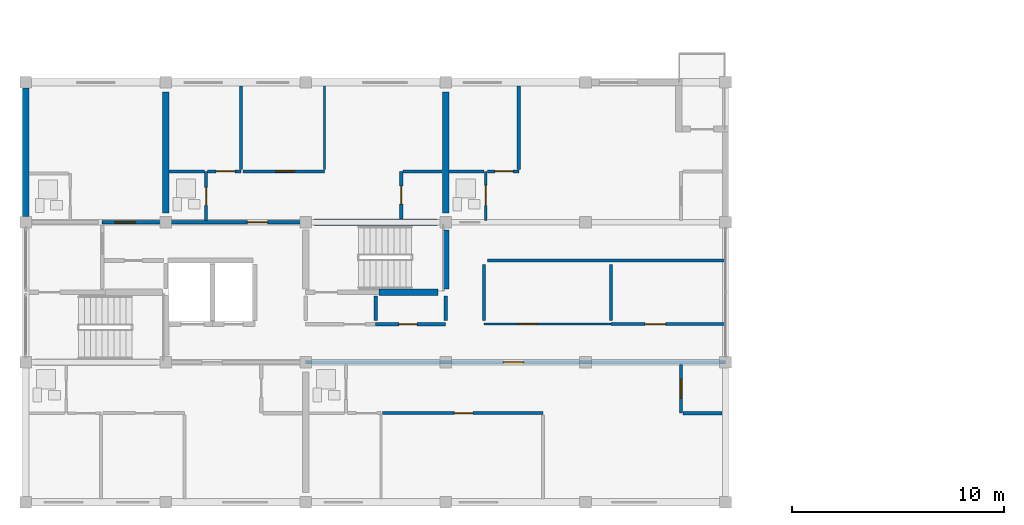
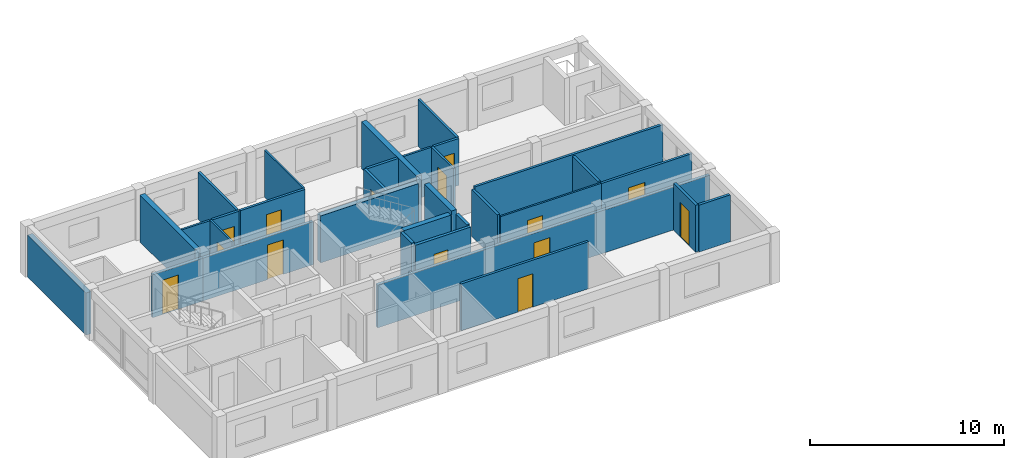
# One storey, part 32 of 45: 32 walls, 14 doors, 14 openings.
"""IFC4 building model written with IfcOpenShell, lengths in metres."""

from ifc_helpers import new_model, si_unit, direction, frame, frame_2d, origin, place, context, subcontext, project, spatial, rectangle, extrude, material, layer, layer_set, type_object, element, fill, save


model = new_model("IFC4")

# Units and contexts
model_context = context("Model", 3, precision=1e-05, world=origin(), true_north=direction((0.0, 1.0)))
body_context = subcontext(model_context, "Body", "Model", "MODEL_VIEW")
ifc_project = project(units=[si_unit("LENGTHUNIT", "METRE"), si_unit("AREAUNIT", "SQUARE_METRE"), si_unit("VOLUMEUNIT", "CUBIC_METRE"), si_unit("PLANEANGLEUNIT", "RADIAN"), si_unit("MASSUNIT", "GRAM", prefix="KILO")], contexts=[model_context])

# Site, building, storey
site_placement = place(None, origin())
site = spatial("IfcSite", under=ifc_project, at=site_placement, CompositionType="ELEMENT")
building_placement = place(site_placement, origin())
building = spatial("IfcBuilding", under=site, at=building_placement, Name="Kernevlak Ridge Housing Community", CompositionType="ELEMENT")
storey_placement = place(building_placement, frame((0.0, 0.0, 14.800048828125)))
storey = spatial("IfcBuildingStorey", under=building, at=storey_placement, Name="L04", CompositionType="ELEMENT", Elevation=14.800048828125)

# Wall
ifc_material_1 = material(Name="Concrete block masonry M10", Category="masonry")
ifc_layer_1 = layer(ifc_material_1, 0.300048828125, Name="Concrete block masonry M10")
ifc_layer_set_1 = layer_set([ifc_layer_1], Name="Concrete block masonry M10")
wall_type_1 = type_object("IfcWallType", Name="EW-01", PredefinedType="STANDARD", material=ifc_layer_set_1)
wall_1_placement = place(storey_placement, frame((15.60009765625, 89.47509765625, 0.0), z_axis=(0.0, 0.0, 1.0), x_axis=(0.0, 1.0, 0.0)))
element("IfcWall", 1, at=wall_1_placement, inside=storey, type_object=wall_type_1, Name="Exterior wall EW-01 L04 74", PredefinedType="STANDARD", context=body_context, shape_type="SweptSolid", body=[
    extrude(rectangle(XDim=6.0498046875, YDim=0.300048828125, at=frame_2d((3.02490234375, 0.0))), origin(), (0.0, 0.0, 1.0), 2.64990234375),
])

# Wall, opening, door
ifc_layer_2 = layer(ifc_material_1, 0.175048828125, Name="Concrete block masonry M10")
ifc_layer_set_2 = layer_set([ifc_layer_2], Name="Concrete block masonry M10")
wall_type_2 = type_object("IfcWallType", Name="PW-02", PredefinedType="PARTITIONING", material=ifc_layer_set_2)
wall_2_placement = place(storey_placement, frame((32.10009765625, 84.39990234375, 0.0), z_axis=(0.0, 0.0, 1.0), x_axis=(1.0, 0.0, 0.0)))
wall_2 = element("IfcWall", 2, at=wall_2_placement, inside=storey, type_object=wall_type_2, Name="Interior wall PW-02 WAL-INT-L04-0262", PredefinedType="PARTITIONING", context=body_context, shape_type="SweptSolid", body=[
    extrude(rectangle(XDim=3.2998046875, YDim=0.175048828125, at=frame_2d((1.64990234375, 0.0))), origin(), (0.0, 0.0, 1.0), 2.9599609375),
])
opening_1_placement = place(wall_2_placement, frame((1.10009765625, 0.0, 0.0)))
opening_1 = element("IfcOpeningElement", 3, at=opening_1_placement, cuts=wall_2, Name="Opening D131", PredefinedType="OPENING", context=body_context, shape_type="SweptSolid", body=[
    extrude(rectangle(XDim=0.85009765625, YDim=2.0, at=frame_2d((0.425048828125, 1.0))), frame((0.0, 0.097412109375, 0.0), z_axis=(0.0, -1.0, 0.0), x_axis=(1.0, 0.0, 0.0)), (0.0, 0.0, 1.0), 0.195068359375),
])
ifc_material_2 = material(Name="Fire-rated sheet steel leaf", Category="steel")
door_type_1 = type_object("IfcDoorType", Name="DT-07", OperationType="NOTDEFINED", PredefinedType="DOOR", material=ifc_material_2)
door_1_placement = place(opening_1_placement, origin())
door_1 = element("IfcDoor", 4, at=door_1_placement, inside=storey, type_object=door_type_1, Name="Block A Cleaner store door D131", OperationType="SINGLE_SWING_LEFT", OverallHeight=2.0, OverallWidth=0.85009765625, PredefinedType="DOOR", context=body_context, shape_type="SweptSolid", body=[
    extrude(rectangle(XDim=0.85009765625, YDim=2.0, at=frame_2d((0.425048828125, 1.0))), frame((0.0, 0.02490234375, 0.0), z_axis=(0.0, -1.0, 0.0), x_axis=(1.0, 0.0, 0.0)), (0.0, 0.0, 1.0), 0.050048828125),
])
fill(opening_1, door_1)

# Walls
for number, where, z_axis, x_axis, name in (
    (5, (32.10009765625, 84.580078125, 0.0), (0.0, 0.0, 1.0), (0.0, 1.0, 0.0), "Interior wall PW-02 WAL-INT-L04-0264"),
    (6, (35.39990234375, 84.580078125, 0.0), (0.0, 0.0, 1.0), (0.0, 1.0, 0.0), "Interior wall PW-02 WAL-INT-L04-0265"),
):
    element("IfcWall", number, at=place(storey_placement, frame(where, z_axis=z_axis, x_axis=x_axis)), inside=storey, type_object=wall_type_2, Name=name, PredefinedType="PARTITIONING", context=body_context, shape_type="SweptSolid", body=[
        extrude(rectangle(XDim=1.139892578125, YDim=0.175048828125, at=frame_2d((0.56982421875, 0.0))), origin(), (0.0, 0.0, 1.0), 2.9599609375),
    ])

# Wall, opening, door
wall_3_placement = place(storey_placement, frame((28.800048828125, 82.60009765625, 0.0), z_axis=(0.0, 0.0, 1.0), x_axis=(1.0, 0.0, 0.0)))
wall_3 = element("IfcWall", 7, at=wall_3_placement, inside=storey, type_object=wall_type_2, Name="Interior wall PW-02 WAL-INT-L04-0280", PredefinedType="PARTITIONING", context=body_context, shape_type="SweptSolid", body=[
    extrude(rectangle(XDim=19.800048828125, YDim=0.175048828125, at=frame_2d((9.89990234375, 0.0))), origin(), (0.0, 0.0, 1.0), 2.699951171875),
])
opening_2_placement = place(wall_3_placement, frame((9.324951171875, 0.0, 0.0)))
opening_2 = element("IfcOpeningElement", 8, at=opening_2_placement, cuts=wall_3, Name="Opening D139", PredefinedType="OPENING", context=body_context, shape_type="SweptSolid", body=[
    extrude(rectangle(XDim=0.949951171875, YDim=2.10009765625, at=frame_2d((0.47509765625, 1.050048828125))), frame((0.0, 0.097412109375, 0.0), z_axis=(0.0, -1.0, 0.0), x_axis=(1.0, 0.0, 0.0)), (0.0, 0.0, 1.0), 0.195068359375),
])
ifc_material_3 = material(Name="Hardwood timber solid-core fire leaf", Category="wood")
door_type_2 = type_object("IfcDoorType", Name="DT-01", OperationType="NOTDEFINED", PredefinedType="DOOR", material=ifc_material_3)
door_2_placement = place(opening_2_placement, origin())
door_2 = element("IfcDoor", 9, at=door_2_placement, inside=storey, type_object=door_type_2, Name="Flat A0412 entrance fire door D139", OperationType="SINGLE_SWING_LEFT", OverallHeight=2.10009765625, OverallWidth=0.949951171875, PredefinedType="DOOR", context=body_context, shape_type="SweptSolid", body=[
    extrude(rectangle(XDim=0.949951171875, YDim=2.10009765625, at=frame_2d((0.47509765625, 1.050048828125))), frame((0.0, 0.02490234375, 0.0), z_axis=(0.0, -1.0, 0.0), x_axis=(1.0, 0.0, 0.0)), (0.0, 0.0, 1.0), 0.050048828125),
])
fill(opening_2, door_2)

wall_4_placement = place(storey_placement, frame((19.199951171875, 89.199951171875, 0.0), z_axis=(0.0, 0.0, 1.0), x_axis=(1.0, 0.0, 0.0)))
wall_4 = element("IfcWall", 10, at=wall_4_placement, inside=storey, type_object=wall_type_2, Name="Interior wall PW-02 WAL-INT-L04-0290", PredefinedType="PARTITIONING", context=body_context, shape_type="SweptSolid", body=[
    extrude(rectangle(XDim=3.0, YDim=0.175048828125, at=frame_2d((1.5, 0.0))), origin(), (0.0, 0.0, 1.0), 2.699951171875),
])
opening_3_placement = place(wall_4_placement, frame((0.60009765625, 0.0, 0.0)))
opening_3 = element("IfcOpeningElement", 11, at=opening_3_placement, cuts=wall_4, Name="Opening D144", PredefinedType="OPENING", context=body_context, shape_type="SweptSolid", body=[
    extrude(rectangle(XDim=0.949951171875, YDim=2.159912109375, at=frame_2d((0.47509765625, 1.080078125))), frame((0.0, 0.097412109375, 0.0), z_axis=(0.0, -1.0, 0.0), x_axis=(1.0, 0.0, 0.0)), (0.0, 0.0, 1.0), 0.195068359375),
])
door_type_3 = type_object("IfcDoorType", Name="DT-02", OperationType="NOTDEFINED", PredefinedType="DOOR", material=ifc_material_3)
door_3_placement = place(opening_3_placement, origin())
door_3 = element("IfcDoor", 12, at=door_3_placement, inside=storey, type_object=door_type_3, Name="Flat A0421 entrance fire door D144", OperationType="SINGLE_SWING_RIGHT", OverallHeight=2.159912109375, OverallWidth=0.949951171875, PredefinedType="DOOR", context=body_context, shape_type="SweptSolid", body=[
    extrude(rectangle(XDim=0.949951171875, YDim=2.159912109375, at=frame_2d((0.47509765625, 1.080078125))), frame((0.0, 0.02490234375, 0.0), z_axis=(0.0, -1.0, 0.0), x_axis=(1.0, 0.0, 0.0)), (0.0, 0.0, 1.0), 0.050048828125),
])
fill(opening_3, door_3)

wall_5_placement = place(storey_placement, frame((22.199951171875, 89.199951171875, 0.0), z_axis=(0.0, 0.0, 1.0), x_axis=(1.0, 0.0, 0.0)))
wall_5 = element("IfcWall", 13, at=wall_5_placement, inside=storey, type_object=wall_type_2, Name="Interior wall PW-02 WAL-INT-L04-0293", PredefinedType="PARTITIONING", context=body_context, shape_type="SweptSolid", body=[
    extrude(rectangle(XDim=6.60009765625, YDim=0.175048828125, at=frame_2d((3.300048828125, 0.0))), origin(), (0.0, 0.0, 1.0), 2.699951171875),
])
opening_4_placement = place(wall_5_placement, frame((3.85009765625, 0.0, 0.0)))
opening_4 = element("IfcOpeningElement", 14, at=opening_4_placement, cuts=wall_5, Name="Opening D146", PredefinedType="OPENING", context=body_context, shape_type="SweptSolid", body=[
    extrude(rectangle(XDim=0.9599609375, YDim=2.179931640625, at=frame_2d((0.47998046875, 1.08984375))), frame((0.0, 0.097412109375, 0.0), z_axis=(0.0, -1.0, 0.0), x_axis=(1.0, 0.0, 0.0)), (0.0, 0.0, 1.0), 0.195068359375),
])
door_type_4 = type_object("IfcDoorType", Name="DT-29", OperationType="NOTDEFINED", PredefinedType="DOOR", material=ifc_material_3)
door_4_placement = place(opening_4_placement, origin())
door_4 = element("IfcDoor", 15, at=door_4_placement, inside=storey, type_object=door_type_4, Name="Flat A0422 entrance fire door D146", OperationType="SINGLE_SWING_RIGHT", OverallHeight=2.179931640625, OverallWidth=0.9599609375, PredefinedType="DOOR", context=body_context, shape_type="SweptSolid", body=[
    extrude(rectangle(XDim=0.9599609375, YDim=2.179931640625, at=frame_2d((0.47998046875, 1.08984375))), frame((0.0, 0.02490234375, 0.0), z_axis=(0.0, -1.0, 0.0), x_axis=(1.0, 0.0, 0.0)), (0.0, 0.0, 1.0), 0.050048828125),
])
fill(opening_4, door_4)

ifc_layer_3 = layer(ifc_material_1, 0.14501953125, Name="Concrete block masonry M10")
ifc_layer_set_3 = layer_set([ifc_layer_3], Name="Concrete block masonry M10")
wall_type_3 = type_object("IfcWallType", Name="PW-03", PredefinedType="PARTITIONING", material=ifc_layer_set_3)
wall_6_placement = place(storey_placement, frame((43.199951171875, 84.39990234375, 0.0), z_axis=(0.0, 0.0, 1.0), x_axis=(1.0, 0.0, 0.0)))
wall_6 = element("IfcWall", 16, at=wall_6_placement, inside=storey, type_object=wall_type_3, Name="Interior wall PW-03 WAL-INT-L04-0267", PredefinedType="PARTITIONING", context=body_context, shape_type="SweptSolid", body=[
    extrude(rectangle(XDim=5.400146484375, YDim=0.14501953125, at=frame_2d((2.7001953125, 0.0))), origin(), (0.0, 0.0, 1.0), 2.9599609375),
])
opening_5_placement = place(wall_6_placement, frame((1.60009765625, 0.0, 0.0)))
opening_5 = element("IfcOpeningElement", 17, at=opening_5_placement, cuts=wall_6, Name="Opening D133", PredefinedType="OPENING", context=body_context, shape_type="SweptSolid", body=[
    extrude(rectangle(XDim=0.97998046875, YDim=2.1201171875, at=frame_2d((0.489990234375, 1.06005859375))), frame((0.0, 0.08251953125, 0.0), z_axis=(0.0, -1.0, 0.0), x_axis=(1.0, 0.0, 0.0)), (0.0, 0.0, 1.0), 0.1650390625),
])
ifc_material_4 = material(Name="Hardwood timber leaf", Category="wood")
door_type_5 = type_object("IfcDoorType", Name="DT-24", OperationType="NOTDEFINED", PredefinedType="DOOR", material=ifc_material_4)
door_5_placement = place(opening_5_placement, origin())
door_5 = element("IfcDoor", 18, at=door_5_placement, inside=storey, type_object=door_type_5, Name="Block A Study room door D133", OperationType="SINGLE_SWING_LEFT", OverallHeight=2.1201171875, OverallWidth=0.97998046875, PredefinedType="DOOR", context=body_context, shape_type="SweptSolid", body=[
    extrude(rectangle(XDim=0.97998046875, YDim=2.1201171875, at=frame_2d((0.489990234375, 1.06005859375))), frame((0.0, 0.02490234375, 0.0), z_axis=(0.0, -1.0, 0.0), x_axis=(1.0, 0.0, 0.0)), (0.0, 0.0, 1.0), 0.050048828125),
])
fill(opening_5, door_5)

# Walls
wall_7_placement = place(storey_placement, frame((43.199951171875, 84.580078125, 0.0), z_axis=(0.0, 0.0, 1.0), x_axis=(0.0, 1.0, 0.0)))
element("IfcWall", 19, at=wall_7_placement, inside=storey, type_object=wall_type_3, Name="Interior wall PW-03 WAL-INT-L04-0268", PredefinedType="PARTITIONING", context=body_context, shape_type="SweptSolid", body=[
    extrude(rectangle(XDim=2.639892578125, YDim=0.14501953125, at=frame_2d((1.31982421875, 0.0))), origin(), (0.0, 0.0, 1.0), 2.9599609375),
])
wall_8_placement = place(storey_placement, frame((37.3798828125, 87.39990234375, 0.0), z_axis=(0.0, 0.0, 1.0), x_axis=(1.0, 0.0, 0.0)))
element("IfcWall", 20, at=wall_8_placement, inside=storey, type_object=wall_type_3, Name="Interior wall PW-03 WAL-INT-L04-0269", PredefinedType="PARTITIONING", context=body_context, shape_type="SweptSolid", body=[
    extrude(rectangle(XDim=11.2001953125, YDim=0.14501953125, at=frame_2d((5.60009765625, 0.0))), origin(), (0.0, 0.0, 1.0), 2.9599609375),
])
wall_9_placement = place(storey_placement, frame((37.199951171875, 84.580078125, 0.0), z_axis=(0.0, 0.0, 1.0), x_axis=(0.0, 1.0, 0.0)))
element("IfcWall", 21, at=wall_9_placement, inside=storey, type_object=wall_type_3, Name="Interior wall PW-03 WAL-INT-L04-0270", PredefinedType="PARTITIONING", context=body_context, shape_type="SweptSolid", body=[
    extrude(rectangle(XDim=2.639892578125, YDim=0.14501953125, at=frame_2d((1.31982421875, 0.0))), origin(), (0.0, 0.0, 1.0), 2.9599609375),
])

# Wall, opening, door
wall_10_placement = place(storey_placement, frame((32.41259765625, 80.199951171875, 0.0), z_axis=(0.0, 0.0, 1.0), x_axis=(1.0, 0.0, 0.0)))
wall_10 = element("IfcWall", 22, at=wall_10_placement, inside=storey, type_object=wall_type_3, Name="Interior wall PW-03 WAL-INT-L04-0287", PredefinedType="PARTITIONING", context=body_context, shape_type="SweptSolid", body=[
    extrude(rectangle(XDim=7.575439453125, YDim=0.14501953125, at=frame_2d((3.78759765625, 0.0))), origin(), (0.0, 0.0, 1.0), 2.9599609375),
])
opening_6_placement = place(wall_10_placement, frame((3.39404296875, 0.0, 0.0)))
opening_6 = element("IfcOpeningElement", 23, at=opening_6_placement, cuts=wall_10, Name="Opening D143", PredefinedType="OPENING", context=body_context, shape_type="SweptSolid", body=[
    extrude(rectangle(XDim=0.8798828125, YDim=2.10009765625, at=frame_2d((0.43994140625, 1.050048828125))), frame((0.0, 0.08251953125, 0.0), z_axis=(0.0, -1.0, 0.0), x_axis=(1.0, 0.0, 0.0)), (0.0, 0.0, 1.0), 0.1650390625),
])
door_type_6 = type_object("IfcDoorType", Name="DT-25", OperationType="NOTDEFINED", PredefinedType="DOOR", material=ifc_material_4)
door_6_placement = place(opening_6_placement, origin())
door_6 = element("IfcDoor", 24, at=door_6_placement, inside=storey, type_object=door_type_6, Name="Flat A0412 bedroom door D143", OperationType="SINGLE_SWING_LEFT", OverallHeight=2.10009765625, OverallWidth=0.8798828125, PredefinedType="DOOR", context=body_context, shape_type="SweptSolid", body=[
    extrude(rectangle(XDim=0.8798828125, YDim=2.10009765625, at=frame_2d((0.43994140625, 1.050048828125))), frame((0.0, 0.02490234375, 0.0), z_axis=(0.0, -1.0, 0.0), x_axis=(1.0, 0.0, 0.0)), (0.0, 0.0, 1.0), 0.050048828125),
])
fill(opening_6, door_6)

wall_11_placement = place(storey_placement, frame((24.172607421875, 91.60009765625, 0.0), z_axis=(0.0, 0.0, 1.0), x_axis=(1.0, 0.0, 0.0)))
wall_11 = element("IfcWall", 25, at=wall_11_placement, inside=storey, type_object=wall_type_3, Name="Interior wall PW-03 WAL-INT-L04-0298", PredefinedType="PARTITIONING", context=body_context, shape_type="SweptSolid", body=[
    extrude(rectangle(XDim=1.577392578125, YDim=0.14501953125, at=frame_2d((0.78857421875, 0.0))), origin(), (0.0, 0.0, 1.0), 2.9599609375),
])
opening_7_placement = place(wall_11_placement, frame((0.39990234375, 0.0, 0.0)))
opening_7 = element("IfcOpeningElement", 26, at=opening_7_placement, cuts=wall_11, Name="Opening D149", PredefinedType="OPENING", context=body_context, shape_type="SweptSolid", body=[
    extrude(rectangle(XDim=0.89990234375, YDim=2.10009765625, at=frame_2d((0.449951171875, 1.050048828125))), frame((0.0, 0.08251953125, 0.0), z_axis=(0.0, -1.0, 0.0), x_axis=(1.0, 0.0, 0.0)), (0.0, 0.0, 1.0), 0.1650390625),
])
door_type_7 = type_object("IfcDoorType", Name="DT-21", OperationType="NOTDEFINED", PredefinedType="DOOR", material=ifc_material_4)
door_7_placement = place(opening_7_placement, origin())
door_7 = element("IfcDoor", 27, at=door_7_placement, inside=storey, type_object=door_type_7, Name="Flat A0422 bedroom door D149", OperationType="SINGLE_SWING_LEFT", OverallHeight=2.10009765625, OverallWidth=0.89990234375, PredefinedType="DOOR", context=body_context, shape_type="SweptSolid", body=[
    extrude(rectangle(XDim=0.89990234375, YDim=2.10009765625, at=frame_2d((0.449951171875, 1.050048828125))), frame((0.0, 0.02490234375, 0.0), z_axis=(0.0, -1.0, 0.0), x_axis=(1.0, 0.0, 0.0)), (0.0, 0.0, 1.0), 0.050048828125),
])
fill(opening_7, door_7)

# Wall
wall_12_placement = place(storey_placement, frame((25.75, 91.6826171875, 0.0), z_axis=(0.0, 0.0, 1.0), x_axis=(0.0, 1.0, 0.0)))
element("IfcWall", 28, at=wall_12_placement, inside=storey, type_object=wall_type_3, Name="Interior wall PW-03 WAL-INT-L04-0299", PredefinedType="PARTITIONING", context=body_context, shape_type="SweptSolid", body=[
    extrude(rectangle(XDim=3.957275390625, YDim=0.14501953125, at=frame_2d((1.978515625, 0.0))), origin(), (0.0, 0.0, 1.0), 2.9599609375),
])

# Wall, opening, door
wall_13_placement = place(storey_placement, frame((25.83251953125, 91.60009765625, 0.0), z_axis=(0.0, 0.0, 1.0), x_axis=(1.0, 0.0, 0.0)))
wall_13 = element("IfcWall", 29, at=wall_13_placement, inside=storey, type_object=wall_type_3, Name="Interior wall PW-03 WAL-INT-L04-0300", PredefinedType="PARTITIONING", context=body_context, shape_type="SweptSolid", body=[
    extrude(rectangle(XDim=3.859375, YDim=0.14501953125, at=frame_2d((1.9296875, 0.0))), origin(), (0.0, 0.0, 1.0), 2.9599609375),
])
opening_8_placement = place(wall_13_placement, frame((1.5458984375, 0.0, 0.0)))
opening_8 = element("IfcOpeningElement", 30, at=opening_8_placement, cuts=wall_13, Name="Opening D150", PredefinedType="OPENING", context=body_context, shape_type="SweptSolid", body=[
    extrude(rectangle(XDim=0.89990234375, YDim=2.159912109375, at=frame_2d((0.449951171875, 1.080078125))), frame((0.0, 0.08251953125, 0.0), z_axis=(0.0, -1.0, 0.0), x_axis=(1.0, 0.0, 0.0)), (0.0, 0.0, 1.0), 0.1650390625),
])
door_type_8 = type_object("IfcDoorType", Name="DT-22", OperationType="NOTDEFINED", PredefinedType="DOOR", material=ifc_material_4)
door_8_placement = place(opening_8_placement, origin())
door_8 = element("IfcDoor", 31, at=door_8_placement, inside=storey, type_object=door_type_8, Name="Flat A0422 bedroom door D150", OperationType="SINGLE_SWING_RIGHT", OverallHeight=2.159912109375, OverallWidth=0.89990234375, PredefinedType="DOOR", context=body_context, shape_type="SweptSolid", body=[
    extrude(rectangle(XDim=0.89990234375, YDim=2.159912109375, at=frame_2d((0.449951171875, 1.080078125))), frame((0.0, 0.02490234375, 0.0), z_axis=(0.0, -1.0, 0.0), x_axis=(1.0, 0.0, 0.0)), (0.0, 0.0, 1.0), 0.050048828125),
])
fill(opening_8, door_8)

wall_14_placement = place(storey_placement, frame((37.37255859375, 91.60009765625, 0.0), z_axis=(0.0, 0.0, 1.0), x_axis=(1.0, 0.0, 0.0)))
wall_14 = element("IfcWall", 32, at=wall_14_placement, inside=storey, type_object=wall_type_3, Name="Interior wall PW-03 WAL-INT-L04-0307", PredefinedType="PARTITIONING", context=body_context, shape_type="SweptSolid", body=[
    extrude(rectangle(XDim=1.4775390625, YDim=0.14501953125, at=frame_2d((0.73876953125, 0.0))), origin(), (0.0, 0.0, 1.0), 2.9599609375),
])
opening_9_placement = place(wall_14_placement, frame((0.35009765625, 0.0, 0.0)))
opening_9 = element("IfcOpeningElement", 33, at=opening_9_placement, cuts=wall_14, Name="Opening D154", PredefinedType="OPENING", context=body_context, shape_type="SweptSolid", body=[
    extrude(rectangle(XDim=0.860107421875, YDim=2.1201171875, at=frame_2d((0.43017578125, 1.06005859375))), frame((0.0, 0.08251953125, 0.0), z_axis=(0.0, -1.0, 0.0), x_axis=(1.0, 0.0, 0.0)), (0.0, 0.0, 1.0), 0.1650390625),
])
door_type_9 = type_object("IfcDoorType", Name="DT-28", OperationType="NOTDEFINED", PredefinedType="DOOR", material=ifc_material_4)
door_9_placement = place(opening_9_placement, origin())
door_9 = element("IfcDoor", 34, at=door_9_placement, inside=storey, type_object=door_type_9, Name="Flat A0423 bedroom door D154", OperationType="SINGLE_SWING_RIGHT", OverallHeight=2.1201171875, OverallWidth=0.860107421875, PredefinedType="DOOR", context=body_context, shape_type="SweptSolid", body=[
    extrude(rectangle(XDim=0.860107421875, YDim=2.1201171875, at=frame_2d((0.43017578125, 1.06005859375))), frame((0.0, 0.02490234375, 0.0), z_axis=(0.0, -1.0, 0.0), x_axis=(1.0, 0.0, 0.0)), (0.0, 0.0, 1.0), 0.050048828125),
])
fill(opening_9, door_9)

# Wall
wall_15_placement = place(storey_placement, frame((38.85009765625, 91.6826171875, 0.0), z_axis=(0.0, 0.0, 1.0), x_axis=(0.0, 1.0, 0.0)))
element("IfcWall", 35, at=wall_15_placement, inside=storey, type_object=wall_type_3, Name="Interior wall PW-03 WAL-INT-L04-0308", PredefinedType="PARTITIONING", context=body_context, shape_type="SweptSolid", body=[
    extrude(rectangle(XDim=3.957275390625, YDim=0.14501953125, at=frame_2d((1.978515625, 0.0))), origin(), (0.0, 0.0, 1.0), 2.9599609375),
])

# Wall, opening, door
ifc_material_5 = material(Name="Gypsum plasterboard EN 520", Category="gypsum")
ifc_layer_4 = layer(ifc_material_5, 0.125, Name="Gypsum plasterboard EN 520")
ifc_layer_set_4 = layer_set([ifc_layer_4], Name="Gypsum plasterboard EN 520")
wall_type_4 = type_object("IfcWallType", Name="PW-04", PredefinedType="PARTITIONING", material=ifc_layer_set_4)
wall_16_placement = place(storey_placement, frame((24.10009765625, 89.297607421875, 0.0), z_axis=(0.0, 0.0, 1.0), x_axis=(0.0, 1.0, 0.0)))
wall_16 = element("IfcWall", 36, at=wall_16_placement, inside=storey, type_object=wall_type_4, Name="Interior wall PW-04 WAL-INT-L04-0294", PredefinedType="PARTITIONING", context=body_context, shape_type="SweptSolid", body=[
    extrude(rectangle(XDim=2.302490234375, YDim=0.125, at=frame_2d((1.1513671875, 0.0))), origin(), (0.0, 0.0, 1.0), 2.9599609375),
])
opening_10_placement = place(wall_16_placement, frame((0.699951171875, 0.0, 0.0)))
opening_10 = element("IfcOpeningElement", 37, at=opening_10_placement, cuts=wall_16, Name="Opening D147", PredefinedType="OPENING", context=body_context, shape_type="SweptSolid", body=[
    extrude(rectangle(XDim=0.85009765625, YDim=2.0400390625, at=frame_2d((0.425048828125, 1.02001953125))), frame((0.0, 0.072509765625, 0.0), z_axis=(0.0, -1.0, 0.0), x_axis=(1.0, 0.0, 0.0)), (0.0, 0.0, 1.0), 0.14501953125),
])
ifc_material_6 = material(Name="Hardwood timber moisture-resistant leaf", Category="wood")
door_type_10 = type_object("IfcDoorType", Name="DT-04", OperationType="NOTDEFINED", PredefinedType="DOOR", material=ifc_material_6)
door_10_placement = place(opening_10_placement, origin())
door_10 = element("IfcDoor", 38, at=door_10_placement, inside=storey, type_object=door_type_10, Name="Flat A0422 bathroom door D147", OperationType="SINGLE_SWING_LEFT", OverallHeight=2.0400390625, OverallWidth=0.85009765625, PredefinedType="DOOR", context=body_context, shape_type="SweptSolid", body=[
    extrude(rectangle(XDim=0.85009765625, YDim=2.0400390625, at=frame_2d((0.425048828125, 1.02001953125))), frame((0.0, 0.02490234375, 0.0), z_axis=(0.0, -1.0, 0.0), x_axis=(1.0, 0.0, 0.0)), (0.0, 0.0, 1.0), 0.050048828125),
])
fill(opening_10, door_10)

# Wall
wall_17_placement = place(storey_placement, frame((22.360107421875, 91.60009765625, 0.0), z_axis=(0.0, 0.0, 1.0), x_axis=(1.0, 0.0, 0.0)))
element("IfcWall", 39, at=wall_17_placement, inside=storey, type_object=wall_type_4, Name="Interior wall PW-04 WAL-INT-L04-0295", PredefinedType="PARTITIONING", context=body_context, shape_type="SweptSolid", body=[
    extrude(rectangle(XDim=1.659912109375, YDim=0.125, at=frame_2d((0.830078125, 0.0))), origin(), (0.0, 0.0, 1.0), 2.9599609375),
])

# Wall, opening, door
wall_18_placement = place(storey_placement, frame((37.300048828125, 89.297607421875, 0.0), z_axis=(0.0, 0.0, 1.0), x_axis=(0.0, 1.0, 0.0)))
wall_18 = element("IfcWall", 40, at=wall_18_placement, inside=storey, type_object=wall_type_4, Name="Interior wall PW-04 WAL-INT-L04-0303", PredefinedType="PARTITIONING", context=body_context, shape_type="SweptSolid", body=[
    extrude(rectangle(XDim=2.302490234375, YDim=0.125, at=frame_2d((1.1513671875, 0.0))), origin(), (0.0, 0.0, 1.0), 2.9599609375),
])
opening_11_placement = place(wall_18_placement, frame((0.699951171875, 0.0, 0.0)))
opening_11 = element("IfcOpeningElement", 41, at=opening_11_placement, cuts=wall_18, Name="Opening D152", PredefinedType="OPENING", context=body_context, shape_type="SweptSolid", body=[
    extrude(rectangle(XDim=0.93994140625, YDim=2.080078125, at=frame_2d((0.469970703125, 1.0400390625))), frame((0.0, 0.072509765625, 0.0), z_axis=(0.0, -1.0, 0.0), x_axis=(1.0, 0.0, 0.0)), (0.0, 0.0, 1.0), 0.14501953125),
])
door_type_11 = type_object("IfcDoorType", Name="DT-23", OperationType="NOTDEFINED", PredefinedType="DOOR", material=ifc_material_6)
door_11_placement = place(opening_11_placement, origin())
door_11 = element("IfcDoor", 42, at=door_11_placement, inside=storey, type_object=door_type_11, Name="Flat A0423 bathroom door D152", OperationType="SINGLE_SWING_RIGHT", OverallHeight=2.080078125, OverallWidth=0.93994140625, PredefinedType="DOOR", context=body_context, shape_type="SweptSolid", body=[
    extrude(rectangle(XDim=0.93994140625, YDim=2.080078125, at=frame_2d((0.469970703125, 1.0400390625))), frame((0.0, 0.02490234375, 0.0), z_axis=(0.0, -1.0, 0.0), x_axis=(1.0, 0.0, 0.0)), (0.0, 0.0, 1.0), 0.050048828125),
])
fill(opening_11, door_11)

# Wall
wall_19_placement = place(storey_placement, frame((35.56005859375, 91.60009765625, 0.0), z_axis=(0.0, 0.0, 1.0), x_axis=(1.0, 0.0, 0.0)))
element("IfcWall", 43, at=wall_19_placement, inside=storey, type_object=wall_type_4, Name="Interior wall PW-04 WAL-INT-L04-0304", PredefinedType="PARTITIONING", context=body_context, shape_type="SweptSolid", body=[
    extrude(rectangle(XDim=1.659912109375, YDim=0.125, at=frame_2d((0.830078125, 0.0))), origin(), (0.0, 0.0, 1.0), 2.9599609375),
])

# Wall, opening, door
ifc_layer_5 = layer(ifc_material_5, 0.155029296875, Name="Gypsum plasterboard EN 520")
ifc_layer_set_5 = layer_set([ifc_layer_5], Name="Gypsum plasterboard EN 520")
wall_type_5 = type_object("IfcWallType", Name="PW-05", PredefinedType="PARTITIONING", material=ifc_layer_set_5)
wall_20_placement = place(storey_placement, frame((46.5, 82.50244140625, 0.0), z_axis=(0.0, 0.0, 1.0), x_axis=(0.0, -1.0, 0.0)))
wall_20 = element("IfcWall", 44, at=wall_20_placement, inside=storey, type_object=wall_type_5, Name="Interior wall PW-05 WAL-INT-L04-0283", PredefinedType="PARTITIONING", context=body_context, shape_type="SweptSolid", body=[
    extrude(rectangle(XDim=2.302490234375, YDim=0.155029296875, at=frame_2d((1.1513671875, 0.0))), origin(), (0.0, 0.0, 1.0), 2.9599609375),
])
opening_12_placement = place(wall_20_placement, frame((0.699951171875, 0.0, 0.0)))
opening_12 = element("IfcOpeningElement", 45, at=opening_12_placement, cuts=wall_20, Name="Opening D141", PredefinedType="OPENING", context=body_context, shape_type="SweptSolid", body=[
    extrude(rectangle(XDim=0.89990234375, YDim=2.159912109375, at=frame_2d((0.449951171875, 1.080078125))), frame((0.0, 0.08740234375, 0.0), z_axis=(0.0, -1.0, 0.0), x_axis=(1.0, 0.0, 0.0)), (0.0, 0.0, 1.0), 0.175048828125),
])
door_12_placement = place(opening_12_placement, origin())
door_12 = element("IfcDoor", 46, at=door_12_placement, inside=storey, type_object=door_type_8, Name="Flat A0412 kitchen door D141", OperationType="SINGLE_SWING_LEFT", OverallHeight=2.159912109375, OverallWidth=0.89990234375, PredefinedType="DOOR", context=body_context, shape_type="SweptSolid", body=[
    extrude(rectangle(XDim=0.89990234375, YDim=2.159912109375, at=frame_2d((0.449951171875, 1.080078125))), frame((0.0, 0.02490234375, 0.0), z_axis=(0.0, -1.0, 0.0), x_axis=(1.0, 0.0, 0.0)), (0.0, 0.0, 1.0), 0.050048828125),
])
fill(opening_12, door_12)

# Wall
wall_21_placement = place(storey_placement, frame((46.58740234375, 80.199951171875, 0.0), z_axis=(0.0, 0.0, 1.0), x_axis=(1.0, 0.0, 0.0)))
element("IfcWall", 47, at=wall_21_placement, inside=storey, type_object=wall_type_5, Name="Interior wall PW-05 WAL-INT-L04-0284", PredefinedType="PARTITIONING", context=body_context, shape_type="SweptSolid", body=[
    extrude(rectangle(XDim=1.8525390625, YDim=0.155029296875, at=frame_2d((0.92626953125, 0.0))), origin(), (0.0, 0.0, 1.0), 2.9599609375),
])

# Wall, opening, door
wall_22_placement = place(storey_placement, frame((33.300048828125, 89.360107421875, 0.0), z_axis=(0.0, 0.0, 1.0), x_axis=(0.0, 1.0, 0.0)))
wall_22 = element("IfcWall", 48, at=wall_22_placement, inside=storey, type_object=wall_type_5, Name="Interior wall PW-05 WAL-INT-L04-0296", PredefinedType="PARTITIONING", context=body_context, shape_type="SweptSolid", body=[
    extrude(rectangle(XDim=2.239990234375, YDim=0.155029296875, at=frame_2d((1.1201171875, 0.0))), origin(), (0.0, 0.0, 1.0), 2.9599609375),
])
opening_13_placement = place(wall_22_placement, frame((0.699951171875, 0.0, 0.0)))
opening_13 = element("IfcOpeningElement", 49, at=opening_13_placement, cuts=wall_22, Name="Opening D148", PredefinedType="OPENING", context=body_context, shape_type="SweptSolid", body=[
    extrude(rectangle(XDim=0.85009765625, YDim=2.10009765625, at=frame_2d((0.425048828125, 1.050048828125))), frame((0.0, 0.08740234375, 0.0), z_axis=(0.0, -1.0, 0.0), x_axis=(1.0, 0.0, 0.0)), (0.0, 0.0, 1.0), 0.175048828125),
])
door_type_12 = type_object("IfcDoorType", Name="DT-03", OperationType="NOTDEFINED", PredefinedType="DOOR", material=ifc_material_4)
door_13_placement = place(opening_13_placement, origin())
door_13 = element("IfcDoor", 50, at=door_13_placement, inside=storey, type_object=door_type_12, Name="Flat A0422 kitchen door D148", OperationType="SINGLE_SWING_RIGHT", OverallHeight=2.10009765625, OverallWidth=0.85009765625, PredefinedType="DOOR", context=body_context, shape_type="SweptSolid", body=[
    extrude(rectangle(XDim=0.85009765625, YDim=2.10009765625, at=frame_2d((0.425048828125, 1.050048828125))), frame((0.0, 0.02490234375, 0.0), z_axis=(0.0, -1.0, 0.0), x_axis=(1.0, 0.0, 0.0)), (0.0, 0.0, 1.0), 0.050048828125),
])
fill(opening_13, door_13)

# Wall
wall_23_placement = place(storey_placement, frame((33.387451171875, 91.60009765625, 0.0), z_axis=(0.0, 0.0, 1.0), x_axis=(1.0, 0.0, 0.0)))
element("IfcWall", 51, at=wall_23_placement, inside=storey, type_object=wall_type_5, Name="Interior wall PW-05 WAL-INT-L04-0297", PredefinedType="PARTITIONING", context=body_context, shape_type="SweptSolid", body=[
    extrude(rectangle(XDim=1.8525390625, YDim=0.155029296875, at=frame_2d((0.92626953125, 0.0))), origin(), (0.0, 0.0, 1.0), 2.9599609375),
])

# Wall, opening, door
ifc_layer_6 = layer(ifc_material_5, 0.10498046875, Name="Gypsum plasterboard EN 520")
ifc_layer_set_6 = layer_set([ifc_layer_6], Name="Gypsum plasterboard EN 520")
wall_type_6 = type_object("IfcWallType", Name="PW-06", PredefinedType="PARTITIONING", material=ifc_layer_set_6)
wall_24_placement = place(storey_placement, frame((37.199951171875, 84.39990234375, 0.0), z_axis=(0.0, 0.0, 1.0), x_axis=(1.0, 0.0, 0.0)))
wall_24 = element("IfcWall", 52, at=wall_24_placement, inside=storey, type_object=wall_type_6, Name="Interior wall PW-06 WAL-INT-L04-0266", PredefinedType="PARTITIONING", context=body_context, shape_type="SweptSolid", body=[
    extrude(rectangle(XDim=6.0, YDim=0.10498046875, at=frame_2d((3.0, 0.0))), origin(), (0.0, 0.0, 1.0), 2.9599609375),
])
opening_14_placement = place(wall_24_placement, frame((1.60009765625, 0.0, 0.0)))
opening_14 = element("IfcOpeningElement", 53, at=opening_14_placement, cuts=wall_24, Name="Opening D132", PredefinedType="OPENING", context=body_context, shape_type="SweptSolid", body=[
    extrude(rectangle(XDim=0.89990234375, YDim=2.159912109375, at=frame_2d((0.449951171875, 1.080078125))), frame((0.0, 0.0625, 0.0), z_axis=(0.0, -1.0, 0.0), x_axis=(1.0, 0.0, 0.0)), (0.0, 0.0, 1.0), 0.125),
])
door_14_placement = place(opening_14_placement, origin())
door_14 = element("IfcDoor", 54, at=door_14_placement, inside=storey, type_object=door_type_8, Name="Block A Laundry room door D132", OperationType="SINGLE_SWING_RIGHT", OverallHeight=2.159912109375, OverallWidth=0.89990234375, PredefinedType="DOOR", context=body_context, shape_type="SweptSolid", body=[
    extrude(rectangle(XDim=0.89990234375, YDim=2.159912109375, at=frame_2d((0.449951171875, 1.080078125))), frame((0.0, 0.02490234375, 0.0), z_axis=(0.0, -1.0, 0.0), x_axis=(1.0, 0.0, 0.0)), (0.0, 0.0, 1.0), 0.050048828125),
])
fill(opening_14, door_14)

# Walls
wall_25_placement = place(storey_placement, frame((29.69189453125, 91.6826171875, 0.0), z_axis=(0.0, 0.0, 1.0), x_axis=(0.0, 1.0, 0.0)))
element("IfcWall", 55, at=wall_25_placement, inside=storey, type_object=wall_type_6, Name="Interior wall PW-06 WAL-INT-L04-0301", PredefinedType="PARTITIONING", context=body_context, shape_type="SweptSolid", body=[
    extrude(rectangle(XDim=3.957275390625, YDim=0.10498046875, at=frame_2d((1.978515625, 0.0))), origin(), (0.0, 0.0, 1.0), 2.9599609375),
])
ifc_material_7 = material(Name="Concrete C40/50", Category="concrete")
ifc_layer_7 = layer(ifc_material_7, 0.300048828125, Name="Concrete C40/50")
ifc_layer_set_7 = layer_set([ifc_layer_7], Name="Concrete C40/50")
wall_type_7 = type_object("IfcWallType", Name="SW-02", PredefinedType="SHEAR", material=ifc_layer_set_7)
wall_26_placement = place(storey_placement, frame((29.179931640625, 89.199951171875, 0.0), z_axis=(0.0, 0.0, 1.0), x_axis=(1.0, 0.0, 0.0)))
element("IfcWall", 56, at=wall_26_placement, inside=storey, type_object=wall_type_7, Name="Shear wall SW-02 Block A L04 54", PredefinedType="SHEAR", context=body_context, shape_type="SweptSolid", body=[
    extrude(rectangle(XDim=5.840087890625, YDim=0.300048828125, at=frame_2d((2.919921875, 0.0))), origin(), (0.0, 0.0, 1.0), 2.9599609375),
])
for number, where, z_axis, x_axis, name in (
    (57, (32.25, 85.89990234375, 0.0), (0.0, 0.0, 1.0), (1.0, 0.0, 0.0), "Shear wall SW-02 Block A L04 55"),
    (58, (35.39990234375, 86.050048828125, 0.0), (0.0, 0.0, 1.0), (0.0, 1.0, 0.0), "Shear wall SW-02 Block A L04 57"),
):
    element("IfcWall", number, at=place(storey_placement, frame(where, z_axis=z_axis, x_axis=x_axis)), inside=storey, type_object=wall_type_7, Name=name, PredefinedType="SHEAR", context=body_context, shape_type="SweptSolid", body=[
        extrude(rectangle(XDim=2.800048828125, YDim=0.300048828125, at=frame_2d((1.39990234375, 0.0))), origin(), (0.0, 0.0, 1.0), 2.9599609375),
    ])
for number, where, z_axis, x_axis, name in (
    (59, (22.199951171875, 89.64990234375, 0.0), (0.0, 0.0, 1.0), (0.0, 1.0, 0.0), "Shear wall SW-02 Block A L04 59"),
    (60, (35.39990234375, 89.64990234375, 0.0), (0.0, 0.0, 1.0), (0.0, 1.0, 0.0), "Shear wall SW-02 Block A L04 60"),
):
    element("IfcWall", number, at=place(storey_placement, frame(where, z_axis=z_axis, x_axis=x_axis)), inside=storey, type_object=wall_type_7, Name=name, PredefinedType="SHEAR", context=body_context, shape_type="SweptSolid", body=[
        extrude(rectangle(XDim=5.7001953125, YDim=0.300048828125, at=frame_2d((2.85009765625, 0.0))), origin(), (0.0, 0.0, 1.0), 2.9599609375),
    ])

save(model, "model.ifc")
